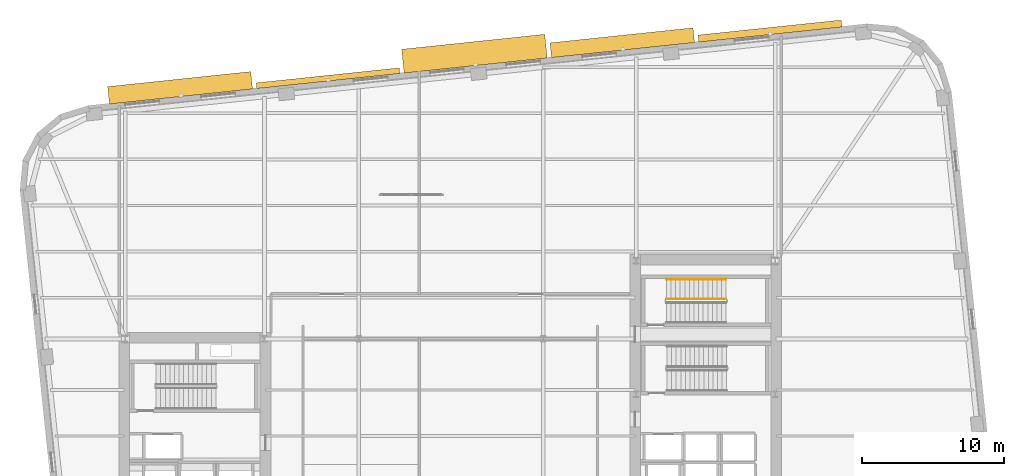
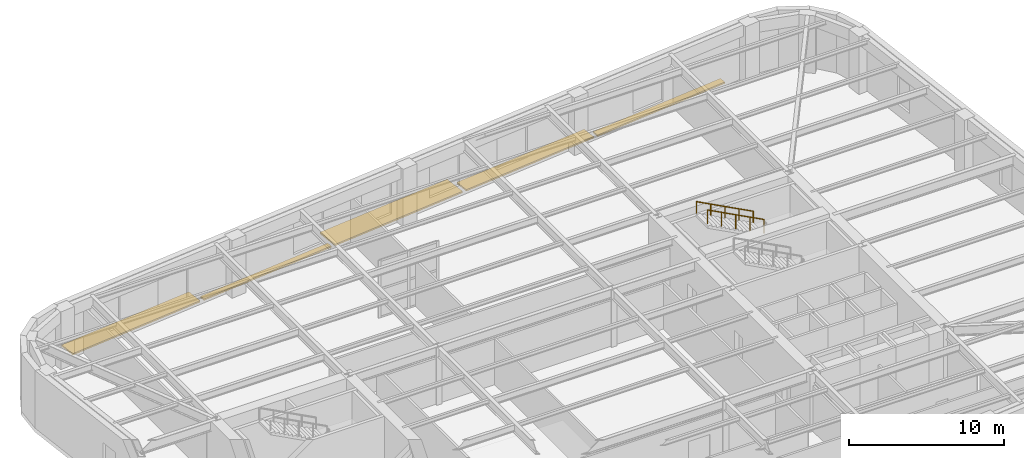
# One storey, part 14 of 14: 5 shading devices, 2 railings.
"""IFC4 building model written with IfcOpenShell, lengths in metres."""

from ifc_helpers import new_model, si_unit, direction, frame, origin, origin_2d, place, context, subcontext, project, spatial, rectangle, circle, extrude, material, type_object, element, save


model = new_model("IFC4")

# Units and contexts
model_context = context("Model", 3, precision=1e-05, world=origin(), true_north=direction((0.0, 1.0)))
body_context = subcontext(model_context, "Body", "Model", "MODEL_VIEW")
ifc_project = project(units=[si_unit("LENGTHUNIT", "METRE"), si_unit("AREAUNIT", "SQUARE_METRE"), si_unit("VOLUMEUNIT", "CUBIC_METRE"), si_unit("PLANEANGLEUNIT", "RADIAN"), si_unit("MASSUNIT", "GRAM", prefix="KILO")], contexts=[model_context])

# Site, building, storey
site_placement = place(None, origin())
site = spatial("IfcSite", under=ifc_project, at=site_placement, CompositionType="ELEMENT")
building_placement = place(site_placement, origin())
building = spatial("IfcBuilding", under=site, at=building_placement, Name="Kolvaren Arena Tower", CompositionType="ELEMENT")
storey_placement = place(building_placement, frame((0.0, 0.0, 125.949951171875)))
storey = spatial("IfcBuildingStorey", under=building, at=storey_placement, Name="L29", CompositionType="ELEMENT", Elevation=125.949951171875)

# Railings
ifc_material_1 = material(Name="Painted galvanized steel", Category="steel")
railing_type_1 = type_object("IfcRailingType", Name="GUARD-ST-110", PredefinedType="GUARDRAIL", material=ifc_material_1)
railing_1_placement = place(storey_placement, frame((56.89208984375, 36.64990234375, 2.571533203125)))
element("IfcRailing", 1, at=railing_1_placement, inside=storey, type_object=railing_type_1, Name="L29 ST-E2 stair guard 3", PredefinedType="GUARDRAIL", context=body_context, shape_type="SweptSolid", body=[
    extrude(circle(Radius=0.02392578125, at=origin_2d()), frame((0.0, 0.0, 1.076171875), z_axis=(-0.883913750078, 0.0, 0.46764995715), x_axis=(0.0, -1.0, 0.0)), (0.0, 0.0, 1.0), 4.765380859375),
    extrude(circle(Radius=0.02099609375, at=origin_2d()), origin(), (0.0, 0.0, 1.0), 1.052001953125),
    extrude(circle(Radius=0.02099609375, at=origin_2d()), frame((-1.052978515625, 0.0, 0.55712890625)), (0.0, 0.0, 1.0), 1.052001953125),
    extrude(circle(Radius=0.02099609375, at=origin_2d()), frame((-2.10595703125, 0.0, 1.1142578125)), (0.0, 0.0, 1.0), 1.052001953125),
    extrude(circle(Radius=0.02099609375, at=origin_2d()), frame((-3.1591796875, 0.0, 1.67138671875)), (0.0, 0.0, 1.0), 1.052001953125),
    extrude(circle(Radius=0.02099609375, at=origin_2d()), frame((-4.212158203125, 0.0, 2.228515625)), (0.0, 0.0, 1.0), 1.052001953125),
])
ifc_material_2 = material(Name="Brushed stainless steel handrail", Category="steel")
railing_type_2 = type_object("IfcRailingType", Name="HRAIL-900", PredefinedType="HANDRAIL", material=ifc_material_2)
railing_2_placement = place(storey_placement, frame((56.89208984375, 38.050048828125, 2.571533203125)))
element("IfcRailing", 2, at=railing_2_placement, inside=storey, type_object=railing_type_2, Name="L29 ST-E2 stair handrail 2", PredefinedType="HANDRAIL", context=body_context, shape_type="SweptSolid", body=[
    extrude(circle(Radius=0.02392578125, at=origin_2d()), frame((0.0, 0.0, 0.8759765625), z_axis=(-0.883913750078, 0.0, 0.46764995715), x_axis=(0.0, -1.0, 0.0)), (0.0, 0.0, 1.0), 4.765380859375),
    extrude(circle(Radius=0.02099609375, at=origin_2d()), origin(), (0.0, 0.0, 1.0), 0.851806640625),
    extrude(circle(Radius=0.02099609375, at=origin_2d()), frame((-1.052978515625, 0.0, 0.55712890625)), (0.0, 0.0, 1.0), 0.851806640625),
    extrude(circle(Radius=0.02099609375, at=origin_2d()), frame((-2.10595703125, 0.0, 1.1142578125)), (0.0, 0.0, 1.0), 0.851806640625),
    extrude(circle(Radius=0.02099609375, at=origin_2d()), frame((-3.1591796875, 0.0, 1.67138671875)), (0.0, 0.0, 1.0), 0.851806640625),
    extrude(circle(Radius=0.02099609375, at=origin_2d()), frame((-4.212158203125, 0.0, 2.228515625)), (0.0, 0.0, 1.0), 0.851806640625),
])

# Shading devices
ifc_material_3 = material(Name="Architectural precast GFRC and anodised aluminium sunshade", Category="concrete")
shading_device_type_1 = type_object("IfcShadingDeviceType", Name="SHAD-SINE-A", PredefinedType="USERDEFINED", material=ifc_material_3)
shading_device_1_placement = place(storey_placement, frame((18.4111328125, 51.5400390625, -0.139892578125), z_axis=(0.0, 0.0, 1.0), x_axis=(0.994522077803, 0.104526727499, 0.0)))
element("IfcShadingDevice", 3, at=shading_device_1_placement, inside=storey, type_object=shading_device_type_1, Name="Sinusoidal Slab-Edge Sunshade Louvre (L29)", ObjectType="LOUVRE", PredefinedType="USERDEFINED", context=body_context, shape_type="SweptSolid", body=[
    extrude(rectangle(XDim=10.139892578125, YDim=1.23583984375, at=origin_2d()), origin(), (0.0, 0.0, 1.0), 0.1201171875),
])
shading_device_2_placement = place(storey_placement, frame((28.83740234375, 52.2177734375, -0.139892578125), z_axis=(0.0, 0.0, 1.0), x_axis=(0.994522077803, 0.104526727499, 0.0)))
element("IfcShadingDevice", 4, at=shading_device_2_placement, inside=storey, type_object=shading_device_type_1, Name="Sinusoidal Slab-Edge Sunshade Louvre (L29)", ObjectType="LOUVRE", PredefinedType="USERDEFINED", context=body_context, shape_type="SweptSolid", body=[
    extrude(rectangle(XDim=10.139892578125, YDim=0.404052734375, at=origin_2d()), origin(), (0.0, 0.0, 1.0), 0.1201171875),
])
shading_device_3_placement = place(storey_placement, frame((49.569580078125, 54.71826171875, -0.139892578125), z_axis=(0.0, 0.0, 1.0), x_axis=(0.994522077803, 0.104526727499, 0.0)))
element("IfcShadingDevice", 5, at=shading_device_3_placement, inside=storey, type_object=shading_device_type_1, Name="Sinusoidal Slab-Edge Sunshade Louvre (L29)", ObjectType="LOUVRE", PredefinedType="USERDEFINED", context=body_context, shape_type="SweptSolid", body=[
    extrude(rectangle(XDim=10.139892578125, YDim=1.043701171875, at=origin_2d()), origin(), (0.0, 0.0, 1.0), 0.1201171875),
])
shading_device_4_placement = place(storey_placement, frame((59.98095703125, 55.539306640625, -0.139892578125), z_axis=(0.0, 0.0, 1.0), x_axis=(0.994522077803, 0.104526727499, 0.0)))
element("IfcShadingDevice", 6, at=shading_device_4_placement, inside=storey, type_object=shading_device_type_1, Name="Sinusoidal Slab-Edge Sunshade Louvre (L29)", ObjectType="LOUVRE", PredefinedType="USERDEFINED", context=body_context, shape_type="SweptSolid", body=[
    extrude(rectangle(XDim=10.139892578125, YDim=0.50048828125, at=origin_2d()), origin(), (0.0, 0.0, 1.0), 0.1201171875),
])
shading_device_type_2 = type_object("IfcShadingDeviceType", Name="SHAD-SINE-B", PredefinedType="JALOUSIE", material=ifc_material_3)
shading_device_5_placement = place(storey_placement, frame((39.1533203125, 53.9462890625, -0.139892578125), z_axis=(0.0, 0.0, 1.0), x_axis=(0.994522077803, 0.104526727499, 0.0)))
element("IfcShadingDevice", 7, at=shading_device_5_placement, inside=storey, type_object=shading_device_type_2, Name="Sinusoidal Slab-Edge Sunshade Louvre (L29)", PredefinedType="JALOUSIE", context=body_context, shape_type="SweptSolid", body=[
    extrude(rectangle(XDim=10.139892578125, YDim=1.685546875, at=origin_2d()), origin(), (0.0, 0.0, 1.0), 0.1201171875),
])

save(model, "model.ifc")
